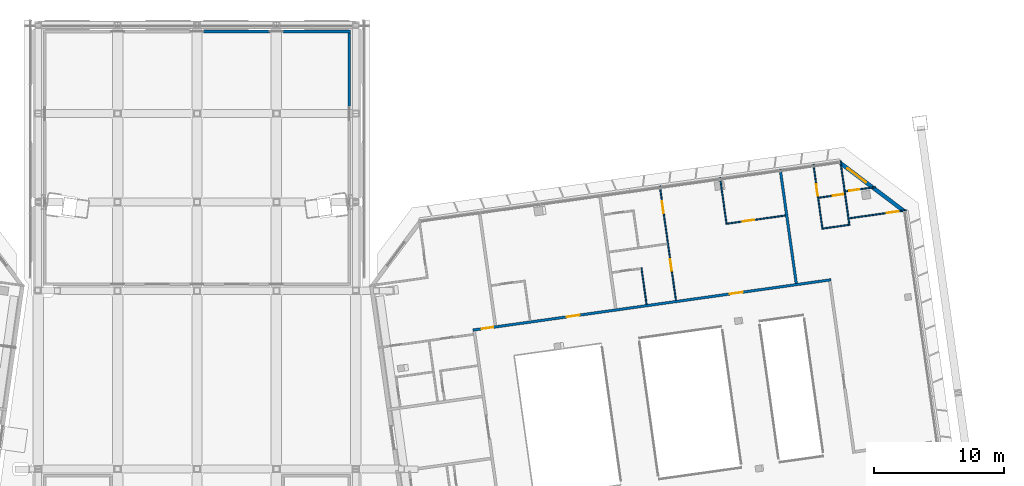
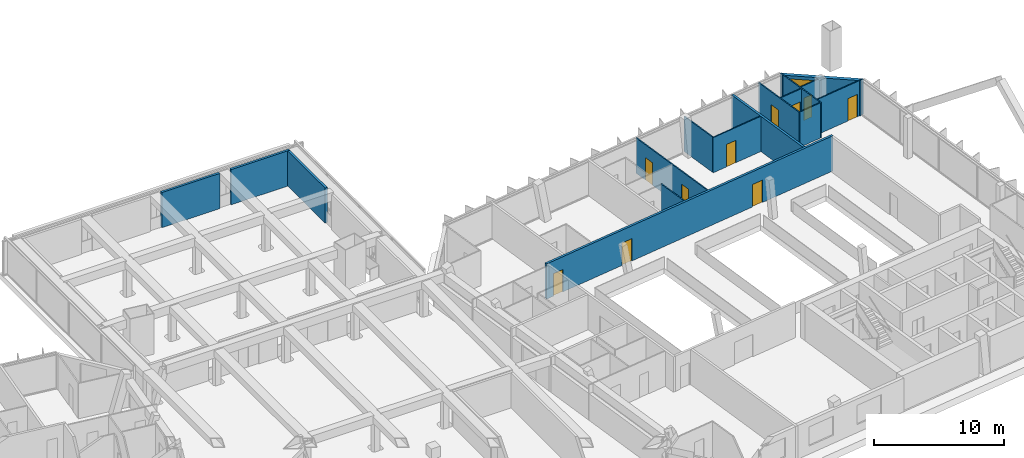
# One storey, part 21 of 28: 16 walls, 10 doors, 1 window, 11 openings.
"""IFC4 building model written with IfcOpenShell, lengths in metres."""

from ifc_helpers import new_model, si_unit, direction, frame, frame_2d, origin, place, context, subcontext, project, spatial, rectangle, extrude, material, layer, layer_set, type_object, element, fill, save


model = new_model("IFC4")

# Units and contexts
model_context = context("Model", 3, precision=1e-05, world=origin(), true_north=direction((0.0, 1.0)))
body_context = subcontext(model_context, "Body", "Model", "MODEL_VIEW")
ifc_project = project(units=[si_unit("LENGTHUNIT", "METRE"), si_unit("AREAUNIT", "SQUARE_METRE"), si_unit("VOLUMEUNIT", "CUBIC_METRE"), si_unit("PLANEANGLEUNIT", "RADIAN"), si_unit("MASSUNIT", "GRAM", prefix="KILO")], contexts=[model_context])

# Site, building, storey
site_placement = place(None, origin())
site = spatial("IfcSite", under=ifc_project, at=site_placement, CompositionType="ELEMENT")
building_placement = place(site_placement, origin())
building = spatial("IfcBuilding", under=site, at=building_placement, Name="Mirante Cascada Hotel Towers", CompositionType="ELEMENT")
storey_placement = place(building_placement, frame((0.0, 0.0, 262.2)))
storey = spatial("IfcBuildingStorey", under=building, at=storey_placement, Name="L63", CompositionType="ELEMENT", Elevation=262.2)

# Wall, openings, doors
ifc_material_1 = material(Name="Fire-rated plasterboard on metal studs")
ifc_layer_1 = layer(ifc_material_1, 0.2)
ifc_layer_set_1 = layer_set([ifc_layer_1], Name="Compartment wall 200 EI 120")
wall_type_1 = type_object("IfcWallType", Name="Compartment wall 200 EI 120", PredefinedType="PARTITIONING", material=ifc_layer_set_1)
wall_1_placement = place(storey_placement, frame((21.2803, 6.8728, 0.0), z_axis=(0.0, 0.0, 1.0), x_axis=(0.9902682, 0.139172, 0.0)))
wall_1 = element("IfcWall", 1, at=wall_1_placement, inside=storey, type_object=wall_type_1, Name="Wall 2-L63-14", PredefinedType="PARTITIONING", context=body_context, shape_type="SweptSolid", body=[
    extrude(rectangle(XDim=27.9, YDim=0.2, at=frame_2d((13.95, 0.0))), origin(), (0.0, 0.0, 1.0), 3.3),
])
opening_1_placement = place(wall_1_placement, frame((0.6878, 0.0, 0.0)))
opening_1 = element("IfcOpeningElement", 2, at=opening_1_placement, cuts=wall_1, Name="Opening D2-L63-08", PredefinedType="OPENING", context=body_context, shape_type="SweptSolid", body=[
    extrude(rectangle(XDim=0.9, YDim=2.1, at=frame_2d((0.45, 1.05))), frame((0.0, 0.1, 0.0), z_axis=(0.0, -1.0, 0.0), x_axis=(1.0, 0.0, 0.0)), (0.0, 0.0, 1.0), 0.2),
])
opening_2_placement = place(wall_1_placement, frame((7.3129, 0.0, 0.0)))
opening_2 = element("IfcOpeningElement", 3, at=opening_2_placement, cuts=wall_1, Name="Opening D2-L63-09", PredefinedType="OPENING", context=body_context, shape_type="SweptSolid", body=[
    extrude(rectangle(XDim=1.0, YDim=2.1, at=frame_2d((0.5, 1.05))), frame((0.0, 0.1, 0.0), z_axis=(0.0, -1.0, 0.0), x_axis=(1.0, 0.0, 0.0)), (0.0, 0.0, 1.0), 0.2),
])
opening_3_placement = place(wall_1_placement, frame((20.0252, 0.0, 0.0)))
opening_3 = element("IfcOpeningElement", 4, at=opening_3_placement, cuts=wall_1, Name="Opening D2-L63-10", PredefinedType="OPENING", context=body_context, shape_type="SweptSolid", body=[
    extrude(rectangle(XDim=1.0, YDim=2.1, at=frame_2d((0.5, 1.05))), frame((0.0, 0.1, 0.0), z_axis=(0.0, -1.0, 0.0), x_axis=(1.0, 0.0, 0.0)), (0.0, 0.0, 1.0), 0.2),
])
ifc_material_2 = material(Name="Fire-rated timber door leaf", Category="wood")
door_type_1 = type_object("IfcDoorType", Name="Entrance door DG1 1000x2100 EI 60", OperationType="SINGLE_SWING_LEFT", PredefinedType="DOOR", material=ifc_material_2)
door_1_placement = place(opening_2_placement, origin())
door_1 = element("IfcDoor", 5, at=door_1_placement, inside=storey, type_object=door_type_1, Name="Door D2-L63-09", OperationType="SINGLE_SWING_LEFT", OverallHeight=2.1, OverallWidth=1.0, PredefinedType="DOOR", context=body_context, shape_type="SweptSolid", body=[
    extrude(rectangle(XDim=1.0, YDim=2.1, at=frame_2d((0.5, 1.05))), frame((0.0, 0.025, 0.0), z_axis=(0.0, -1.0, 0.0), x_axis=(1.0, 0.0, 0.0)), (0.0, 0.0, 1.0), 0.05),
])
fill(opening_2, door_1)
door_2_placement = place(opening_3_placement, origin())
door_2 = element("IfcDoor", 6, at=door_2_placement, inside=storey, type_object=door_type_1, Name="Door D2-L63-10", OperationType="SINGLE_SWING_LEFT", OverallHeight=2.1, OverallWidth=1.0, PredefinedType="DOOR", context=body_context, shape_type="SweptSolid", body=[
    extrude(rectangle(XDim=1.0, YDim=2.1, at=frame_2d((0.5, 1.05))), frame((0.0, 0.025, 0.0), z_axis=(0.0, -1.0, 0.0), x_axis=(1.0, 0.0, 0.0)), (0.0, 0.0, 1.0), 0.05),
])
fill(opening_3, door_2)
ifc_material_3 = material(Name="Fire-rated timber door leaf", Category="wood")
door_type_2 = type_object("IfcDoorType", Name="Room door DG3 900x2100 EI 60", OperationType="SINGLE_SWING_LEFT", PredefinedType="DOOR", material=ifc_material_3)
door_3_placement = place(opening_1_placement, origin())
door_3 = element("IfcDoor", 7, at=door_3_placement, inside=storey, type_object=door_type_2, Name="Door D2-L63-08", OperationType="SINGLE_SWING_LEFT", OverallHeight=2.1, OverallWidth=0.9, PredefinedType="DOOR", context=body_context, shape_type="SweptSolid", body=[
    extrude(rectangle(XDim=0.9, YDim=2.1, at=frame_2d((0.45, 1.05))), frame((0.0, 0.025, 0.0), z_axis=(0.0, -1.0, 0.0), x_axis=(1.0, 0.0, 0.0)), (0.0, 0.0, 1.0), 0.05),
])
fill(opening_1, door_3)

# Walls
wall_2_placement = place(storey_placement, frame((46.2336, 10.4807, 0.0), z_axis=(0.0, 0.0, 1.0), x_axis=(-0.1391684, 0.9902687, 0.0)))
element("IfcWall", 8, at=wall_2_placement, inside=storey, type_object=wall_type_1, Name="Wall 2-L63-42", PredefinedType="PARTITIONING", context=body_context, shape_type="SweptSolid", body=[
    extrude(rectangle(XDim=8.9, YDim=0.2, at=frame_2d((4.45, 0.0))), origin(), (0.0, 0.0, 1.0), 3.3),
])
ifc_material_4 = material(Name="Masonry block", Category="masonry")
ifc_layer_2 = layer(ifc_material_4, 0.2)
ifc_layer_set_2 = layer_set([ifc_layer_2], Name="Deck room wall 200 block EI 120")
wall_type_2 = type_object("IfcWallType", Name="Deck room wall 200 block EI 120", PredefinedType="PARTITIONING", material=ifc_layer_set_2)
wall_3_placement = place(storey_placement, frame((0.5, 29.91, 0.0), z_axis=(0.0, 0.0, 1.0), x_axis=(1.0, 0.0, 0.0)))
element("IfcWall", 9, at=wall_3_placement, inside=storey, type_object=wall_type_2, Name="Sky park fire wall L63 W22", PredefinedType="PARTITIONING", context=body_context, shape_type="SweptSolid", body=[
    extrude(rectangle(XDim=5.13, YDim=0.2, at=frame_2d((2.565, 0.0))), origin(), (0.0, 0.0, 1.0), 3.3),
])
wall_4_placement = place(storey_placement, frame((6.63, 29.91, 0.0), z_axis=(0.0, 0.0, 1.0), x_axis=(1.0, 0.0, 0.0)))
element("IfcWall", 10, at=wall_4_placement, inside=storey, type_object=wall_type_2, Name="Sky park fire wall L63 W24", PredefinedType="PARTITIONING", context=body_context, shape_type="SweptSolid", body=[
    extrude(rectangle(XDim=5.22, YDim=0.2, at=frame_2d((2.61, 0.0))), origin(), (0.0, 0.0, 1.0), 3.3),
])
wall_5_placement = place(storey_placement, frame((11.75, 24.08, 0.0), z_axis=(0.0, 0.0, 1.0), x_axis=(0.0, 1.0, 0.0)))
element("IfcWall", 11, at=wall_5_placement, inside=storey, type_object=wall_type_2, Name="Sky park fire wall L63 W30", PredefinedType="PARTITIONING", context=body_context, shape_type="SweptSolid", body=[
    extrude(rectangle(XDim=5.73, YDim=0.2, at=frame_2d((2.865, 0.0))), origin(), (0.0, 0.0, 1.0), 3.3),
])
ifc_material_5 = material(Name="Plasterboard on metal studs")
ifc_layer_3 = layer(ifc_material_5, 0.1)
ifc_layer_set_3 = layer_set([ifc_layer_3], Name="Partition 100")
wall_type_3 = type_object("IfcWallType", Name="Partition 100", PredefinedType="PARTITIONING", material=ifc_layer_set_3)
wall_6_placement = place(storey_placement, frame((50.2831, 14.9882, 0.0), z_axis=(0.0, 0.0, 1.0), x_axis=(-0.990264, -0.139202, 0.0)))
element("IfcWall", 12, at=wall_6_placement, inside=storey, type_object=wall_type_3, Name="Wall 2-L63-17", PredefinedType="PARTITIONING", context=body_context, shape_type="SweptSolid", body=[
    extrude(rectangle(XDim=2.0, YDim=0.1, at=frame_2d((1.0, 0.0))), origin(), (0.0, 0.0, 1.0), 3.3),
])

# Wall, opening, door
wall_7_placement = place(storey_placement, frame((50.3125, 15.4972, 0.0), z_axis=(0.0, 0.0, 1.0), x_axis=(0.9902656, 0.1391904, 0.0)))
wall_7 = element("IfcWall", 13, at=wall_7_placement, inside=storey, type_object=wall_type_3, Name="Wall 2-L63-20", PredefinedType="PARTITIONING", context=body_context, shape_type="SweptSolid", body=[
    extrude(rectangle(XDim=4.45, YDim=0.1, at=frame_2d((2.225, 0.0))), origin(), (0.0, 0.0, 1.0), 3.3),
])
opening_4_placement = place(wall_7_placement, frame((2.95, 0.0, 0.0)))
opening_4 = element("IfcOpeningElement", 14, at=opening_4_placement, cuts=wall_7, Name="Opening D2-L63-13", PredefinedType="OPENING", context=body_context, shape_type="SweptSolid", body=[
    extrude(rectangle(XDim=0.9, YDim=2.1, at=frame_2d((0.45, 1.05))), frame((0.0, 0.05, 0.0), z_axis=(0.0, -1.0, 0.0), x_axis=(1.0, 0.0, 0.0)), (0.0, 0.0, 1.0), 0.1),
])
ifc_material_6 = material(Name="Timber door leaf", Category="wood")
door_type_3 = type_object("IfcDoorType", Name="Room door DG3 900x2100", OperationType="SINGLE_SWING_LEFT", PredefinedType="DOOR", material=ifc_material_6)
door_4_placement = place(opening_4_placement, frame((0.9, 0.0, 0.0), z_axis=(0.0, 0.0, 1.0), x_axis=(-1.0, 0.0, 0.0)))
door_4 = element("IfcDoor", 15, at=door_4_placement, inside=storey, type_object=door_type_3, Name="Door D2-L63-13", OperationType="SINGLE_SWING_RIGHT", OverallHeight=2.1, OverallWidth=0.9, PredefinedType="DOOR", context=body_context, shape_type="SweptSolid", body=[
    extrude(rectangle(XDim=0.9, YDim=2.1, at=frame_2d((0.45, 1.05))), frame((0.0, 0.025, 0.0), z_axis=(0.0, -1.0, 0.0), x_axis=(1.0, 0.0, 0.0)), (0.0, 0.0, 1.0), 0.05),
])
fill(opening_4, door_4)

wall_8_placement = place(storey_placement, frame((45.397, 15.7152, 0.0), z_axis=(0.0, 0.0, 1.0), x_axis=(-0.9902682, -0.1391719, 0.0)))
wall_8 = element("IfcWall", 16, at=wall_8_placement, inside=storey, type_object=wall_type_3, Name="Wall 2-L63-21", PredefinedType="PARTITIONING", context=body_context, shape_type="SweptSolid", body=[
    extrude(rectangle(XDim=4.6374, YDim=0.1, at=frame_2d((2.3187, 0.0))), origin(), (0.0, 0.0, 1.0), 3.3),
])
opening_5_placement = place(wall_8_placement, frame((2.4312, 0.0, 0.0)))
opening_5 = element("IfcOpeningElement", 17, at=opening_5_placement, cuts=wall_8, Name="Opening D2-L63-14", PredefinedType="OPENING", context=body_context, shape_type="SweptSolid", body=[
    extrude(rectangle(XDim=0.9, YDim=2.1, at=frame_2d((0.45, 1.05))), frame((0.0, 0.05, 0.0), z_axis=(0.0, -1.0, 0.0), x_axis=(1.0, 0.0, 0.0)), (0.0, 0.0, 1.0), 0.1),
])
door_5_placement = place(opening_5_placement, origin())
door_5 = element("IfcDoor", 18, at=door_5_placement, inside=storey, type_object=door_type_3, Name="Door D2-L63-14", OperationType="SINGLE_SWING_LEFT", OverallHeight=2.1, OverallWidth=0.9, PredefinedType="DOOR", context=body_context, shape_type="SweptSolid", body=[
    extrude(rectangle(XDim=0.9, YDim=2.1, at=frame_2d((0.45, 1.05))), frame((0.0, 0.025, 0.0), z_axis=(0.0, -1.0, 0.0), x_axis=(1.0, 0.0, 0.0)), (0.0, 0.0, 1.0), 0.05),
])
fill(opening_5, door_5)

wall_9_placement = place(storey_placement, frame((47.9685, 17.0865, 0.0), z_axis=(0.0, 0.0, 1.0), x_axis=(0.9902719, 0.139146, 0.0)))
wall_9 = element("IfcWall", 19, at=wall_9_placement, inside=storey, type_object=wall_type_3, Name="Wall 2-L63-22", PredefinedType="PARTITIONING", context=body_context, shape_type="SweptSolid", body=[
    extrude(rectangle(XDim=2.0001, YDim=0.1, at=frame_2d((1.0001, 0.0))), origin(), (0.0, 0.0, 1.0), 3.3),
])
opening_6_placement = place(wall_9_placement, frame((1.1, 0.0, 0.0)))
opening_6 = element("IfcOpeningElement", 20, at=opening_6_placement, cuts=wall_9, Name="Opening D2-L63-15", PredefinedType="OPENING", context=body_context, shape_type="SweptSolid", body=[
    extrude(rectangle(XDim=0.8, YDim=2.1, at=frame_2d((0.4, 1.05))), frame((0.0, 0.05, 0.0), z_axis=(0.0, -1.0, 0.0), x_axis=(1.0, 0.0, 0.0)), (0.0, 0.0, 1.0), 0.1),
])
ifc_material_7 = material(Name="Timber door leaf", Category="wood")
door_type_4 = type_object("IfcDoorType", Name="Bathroom door DG4 800x2100", OperationType="SINGLE_SWING_LEFT", PredefinedType="DOOR", material=ifc_material_7)
door_6_placement = place(opening_6_placement, origin())
door_6 = element("IfcDoor", 21, at=door_6_placement, inside=storey, type_object=door_type_4, Name="Door D2-L63-15", OperationType="SINGLE_SWING_LEFT", OverallHeight=2.1, OverallWidth=0.8, PredefinedType="DOOR", context=body_context, shape_type="SweptSolid", body=[
    extrude(rectangle(XDim=0.8, YDim=2.1, at=frame_2d((0.4, 1.05))), frame((0.0, 0.025, 0.0), z_axis=(0.0, -1.0, 0.0), x_axis=(1.0, 0.0, 0.0)), (0.0, 0.0, 1.0), 0.05),
])
fill(opening_6, door_6)

wall_10_placement = place(storey_placement, frame((52.3474, 17.9039, 0.0), z_axis=(0.0, 0.0, 1.0), x_axis=(-0.9902653, -0.1391929, 0.0)))
wall_10 = element("IfcWall", 22, at=wall_10_placement, inside=storey, type_object=wall_type_3, Name="Wall 2-L63-23", PredefinedType="PARTITIONING", context=body_context, shape_type="SweptSolid", body=[
    extrude(rectangle(XDim=2.35, YDim=0.1, at=frame_2d((1.175, 0.0))), origin(), (0.0, 0.0, 1.0), 3.3),
])
opening_7_placement = place(wall_10_placement, frame((1.25, 0.0, 0.0)))
opening_7 = element("IfcOpeningElement", 23, at=opening_7_placement, cuts=wall_10, Name="Opening D2-L63-16", PredefinedType="OPENING", context=body_context, shape_type="SweptSolid", body=[
    extrude(rectangle(XDim=0.8, YDim=2.1, at=frame_2d((0.4, 1.05))), frame((0.0, 0.05, 0.0), z_axis=(0.0, -1.0, 0.0), x_axis=(1.0, 0.0, 0.0)), (0.0, 0.0, 1.0), 0.1),
])
door_7_placement = place(opening_7_placement, origin())
door_7 = element("IfcDoor", 24, at=door_7_placement, inside=storey, type_object=door_type_4, Name="Door D2-L63-16", OperationType="SINGLE_SWING_LEFT", OverallHeight=2.1, OverallWidth=0.8, PredefinedType="DOOR", context=body_context, shape_type="SweptSolid", body=[
    extrude(rectangle(XDim=0.8, YDim=2.1, at=frame_2d((0.4, 1.05))), frame((0.0, 0.025, 0.0), z_axis=(0.0, -1.0, 0.0), x_axis=(1.0, 0.0, 0.0)), (0.0, 0.0, 1.0), 0.05),
])
fill(opening_7, door_7)

# Wall
wall_11_placement = place(storey_placement, frame((34.6848, 8.8577, 0.0), z_axis=(0.0, 0.0, 1.0), x_axis=(-0.1391613, 0.9902697, 0.0)))
element("IfcWall", 25, at=wall_11_placement, inside=storey, type_object=wall_type_3, Name="Wall 2-L63-38", PredefinedType="PARTITIONING", context=body_context, shape_type="SweptSolid", body=[
    extrude(rectangle(XDim=2.8499, YDim=0.1, at=frame_2d((1.425, 0.0))), origin(), (0.0, 0.0, 1.0), 3.3),
])

# Wall, openings, doors
wall_12_placement = place(storey_placement, frame((36.9499, 9.176, 0.0), z_axis=(0.0, 0.0, 1.0), x_axis=(-0.1391684, 0.9902687, 0.0)))
wall_12 = element("IfcWall", 26, at=wall_12_placement, inside=storey, type_object=wall_type_3, Name="Wall 2-L63-40", PredefinedType="PARTITIONING", context=body_context, shape_type="SweptSolid", body=[
    extrude(rectangle(XDim=8.9, YDim=0.1, at=frame_2d((4.45, 0.0))), origin(), (0.0, 0.0, 1.0), 3.3),
])
opening_8_placement = place(wall_12_placement, frame((2.3, 0.0, 0.0)))
opening_8 = element("IfcOpeningElement", 27, at=opening_8_placement, cuts=wall_12, Name="Opening D2-L63-24", PredefinedType="OPENING", context=body_context, shape_type="SweptSolid", body=[
    extrude(rectangle(XDim=0.9, YDim=2.1, at=frame_2d((0.45, 1.05))), frame((0.0, 0.05, 0.0), z_axis=(0.0, -1.0, 0.0), x_axis=(1.0, 0.0, 0.0)), (0.0, 0.0, 1.0), 0.1),
])
opening_9_placement = place(wall_12_placement, frame((6.8, 0.0, 0.0)))
opening_9 = element("IfcOpeningElement", 28, at=opening_9_placement, cuts=wall_12, Name="Opening D2-L63-25", PredefinedType="OPENING", context=body_context, shape_type="SweptSolid", body=[
    extrude(rectangle(XDim=0.9, YDim=2.1, at=frame_2d((0.45, 1.05))), frame((0.0, 0.05, 0.0), z_axis=(0.0, -1.0, 0.0), x_axis=(1.0, 0.0, 0.0)), (0.0, 0.0, 1.0), 0.1),
])
door_8_placement = place(opening_8_placement, frame((0.9, 0.0, 0.0), z_axis=(0.0, 0.0, 1.0), x_axis=(-1.0, 0.0, 0.0)))
door_8 = element("IfcDoor", 29, at=door_8_placement, inside=storey, type_object=door_type_3, Name="Door D2-L63-24", OperationType="SINGLE_SWING_RIGHT", OverallHeight=2.1, OverallWidth=0.9, PredefinedType="DOOR", context=body_context, shape_type="SweptSolid", body=[
    extrude(rectangle(XDim=0.9, YDim=2.1, at=frame_2d((0.45, 1.05))), frame((0.0, 0.025, 0.0), z_axis=(0.0, -1.0, 0.0), x_axis=(1.0, 0.0, 0.0)), (0.0, 0.0, 1.0), 0.05),
])
fill(opening_8, door_8)
door_9_placement = place(opening_9_placement, frame((0.9, 0.0, 0.0), z_axis=(0.0, 0.0, 1.0), x_axis=(-1.0, 0.0, 0.0)))
door_9 = element("IfcDoor", 30, at=door_9_placement, inside=storey, type_object=door_type_3, Name="Door D2-L63-25", OperationType="SINGLE_SWING_RIGHT", OverallHeight=2.1, OverallWidth=0.9, PredefinedType="DOOR", context=body_context, shape_type="SweptSolid", body=[
    extrude(rectangle(XDim=0.9, YDim=2.1, at=frame_2d((0.45, 1.05))), frame((0.0, 0.025, 0.0), z_axis=(0.0, -1.0, 0.0), x_axis=(1.0, 0.0, 0.0)), (0.0, 0.0, 1.0), 0.05),
])
fill(opening_9, door_9)

# Wall
wall_13_placement = place(storey_placement, frame((40.3532, 18.6418, 0.0), z_axis=(0.0, 0.0, 1.0), x_axis=(0.1391534, -0.9902708, 0.0)))
element("IfcWall", 31, at=wall_13_placement, inside=storey, type_object=wall_type_3, Name="Wall 2-L63-41", PredefinedType="PARTITIONING", context=body_context, shape_type="SweptSolid", body=[
    extrude(rectangle(XDim=3.55, YDim=0.1, at=frame_2d((1.775, 0.0))), origin(), (0.0, 0.0, 1.0), 3.3),
])

# Wall, opening, door
wall_14_placement = place(storey_placement, frame((48.26, 14.6534, 0.0), z_axis=(0.0, 0.0, 1.0), x_axis=(-0.1391699, 0.9902685, 0.0)))
wall_14 = element("IfcWall", 32, at=wall_14_placement, inside=storey, type_object=wall_type_3, Name="Wall 2-L63-44", PredefinedType="PARTITIONING", context=body_context, shape_type="SweptSolid", body=[
    extrude(rectangle(XDim=5.0499, YDim=0.1, at=frame_2d((2.525, 0.0))), origin(), (0.0, 0.0, 1.0), 3.3),
])
opening_10_placement = place(wall_14_placement, frame((2.6, 0.0, 0.0)))
opening_10 = element("IfcOpeningElement", 33, at=opening_10_placement, cuts=wall_14, Name="Opening D2-L63-27", PredefinedType="OPENING", context=body_context, shape_type="SweptSolid", body=[
    extrude(rectangle(XDim=0.9, YDim=2.1, at=frame_2d((0.45, 1.05))), frame((0.0, 0.05, 0.0), z_axis=(0.0, -1.0, 0.0), x_axis=(1.0, 0.0, 0.0)), (0.0, 0.0, 1.0), 0.1),
])
door_10_placement = place(opening_10_placement, frame((0.9, 0.0, 0.0), z_axis=(0.0, 0.0, 1.0), x_axis=(-1.0, 0.0, 0.0)))
door_10 = element("IfcDoor", 34, at=door_10_placement, inside=storey, type_object=door_type_3, Name="Door D2-L63-27", OperationType="SINGLE_SWING_RIGHT", OverallHeight=2.1, OverallWidth=0.9, PredefinedType="DOOR", context=body_context, shape_type="SweptSolid", body=[
    extrude(rectangle(XDim=0.9, YDim=2.1, at=frame_2d((0.45, 1.05))), frame((0.0, 0.025, 0.0), z_axis=(0.0, -1.0, 0.0), x_axis=(1.0, 0.0, 0.0)), (0.0, 0.0, 1.0), 0.05),
])
fill(opening_10, door_10)

# Wall
wall_15_placement = place(storey_placement, frame((50.3396, 14.9456, 0.0), z_axis=(0.0, 0.0, 1.0), x_axis=(-0.1391866, 0.9902662, 0.0)))
element("IfcWall", 35, at=wall_15_placement, inside=storey, type_object=wall_type_3, Name="Wall 2-L63-46", PredefinedType="PARTITIONING", context=body_context, shape_type="SweptSolid", body=[
    extrude(rectangle(XDim=5.0501, YDim=0.1, at=frame_2d((2.525, 0.0))), origin(), (0.0, 0.0, 1.0), 3.3),
])

# Wall, opening, window
ifc_material_8 = material(Name="Precast concrete C40/50", Category="concrete")
ifc_layer_4 = layer(ifc_material_8, 0.3)
ifc_layer_set_4 = layer_set([ifc_layer_4], Name="Precast concrete C40/50 cladding wall 300")
wall_type_4 = type_object("IfcWallType", Name="Precast concrete C40/50 cladding wall 300", PredefinedType="STANDARD", material=ifc_layer_set_4)
wall_16_placement = place(storey_placement, frame((54.5298, 16.0715, 0.0), z_axis=(0.0, 0.0, 1.0), x_axis=(-0.7986362, 0.6018141, 0.0)))
wall_16 = element("IfcWall", 36, at=wall_16_placement, inside=storey, type_object=wall_type_4, Name="Corner cladding wall T2 L63 outer front", PredefinedType="STANDARD", context=body_context, shape_type="SweptSolid", body=[
    extrude(rectangle(XDim=6.1157, YDim=0.3, at=frame_2d((3.0578, 0.0))), origin(), (0.0, 0.0, 1.0), 3.3),
])
opening_11_placement = place(wall_16_placement, frame((3.6428, 0.0, 0.6)))
opening_11 = element("IfcOpeningElement", 37, at=opening_11_placement, cuts=wall_16, Name="Opening W2-63-05", PredefinedType="OPENING", context=body_context, shape_type="SweptSolid", body=[
    extrude(rectangle(XDim=1.8, YDim=2.4, at=frame_2d((0.9, 1.2))), frame((0.0, 0.15, 0.0), z_axis=(0.0, -1.0, 0.0), x_axis=(1.0, 0.0, 0.0)), (0.0, 0.0, 1.0), 0.3),
])
ifc_material_9 = material(Name="Aluminium frame with clear double glazing", Category="aluminium")
window_type = type_object("IfcWindowType", Name="Corner suite window 1800x2400", PartitioningType="DOUBLE_PANEL_VERTICAL", PredefinedType="WINDOW", material=ifc_material_9)
window_placement = place(opening_11_placement, origin())
window = element("IfcWindow", 38, at=window_placement, inside=storey, type_object=window_type, Name="Window W2-63-05", OverallHeight=2.4, OverallWidth=1.8, PartitioningType="SINGLE_PANEL", PredefinedType="WINDOW", context=body_context, shape_type="SweptSolid", body=[
    extrude(rectangle(XDim=1.8, YDim=2.4, at=frame_2d((0.9, 1.2))), frame((0.0, 0.03, 0.0), z_axis=(0.0, -1.0, 0.0), x_axis=(1.0, 0.0, 0.0)), (0.0, 0.0, 1.0), 0.06),
])
fill(opening_11, window)

save(model, "model.ifc")
